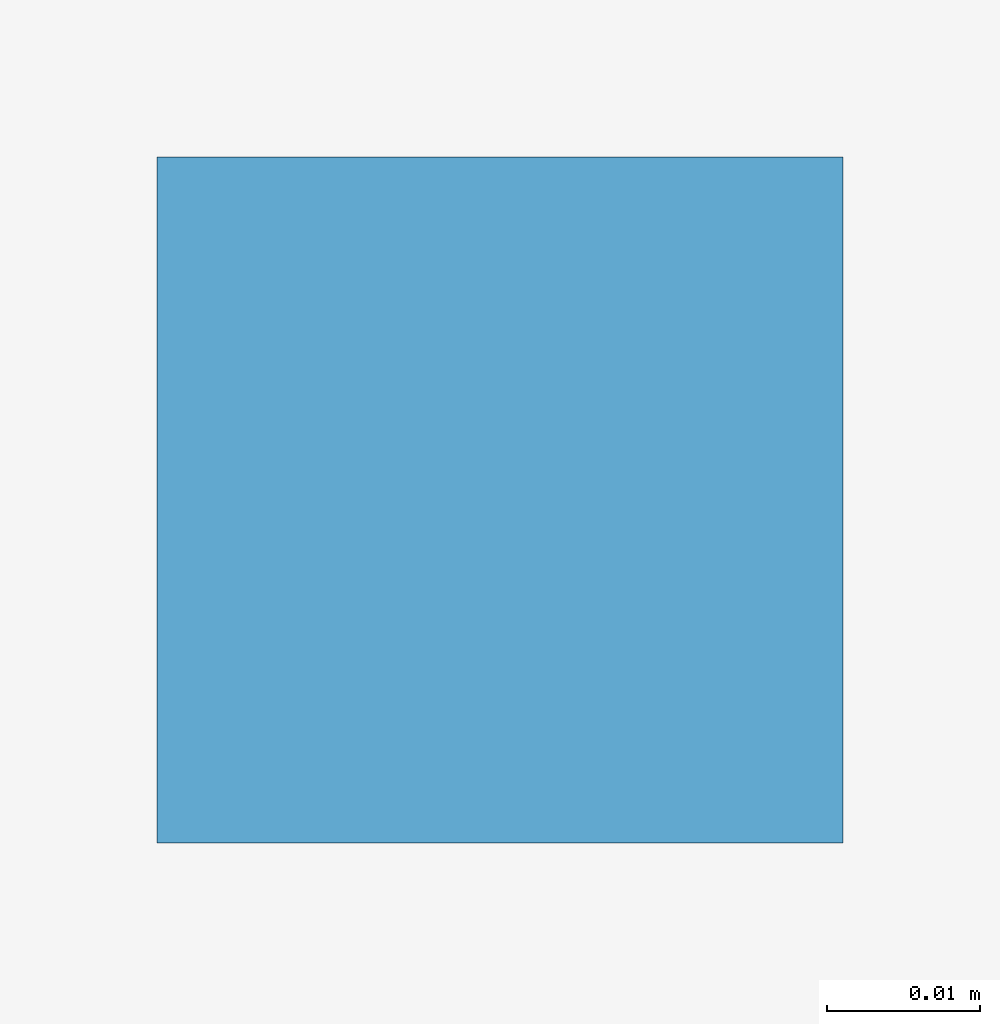
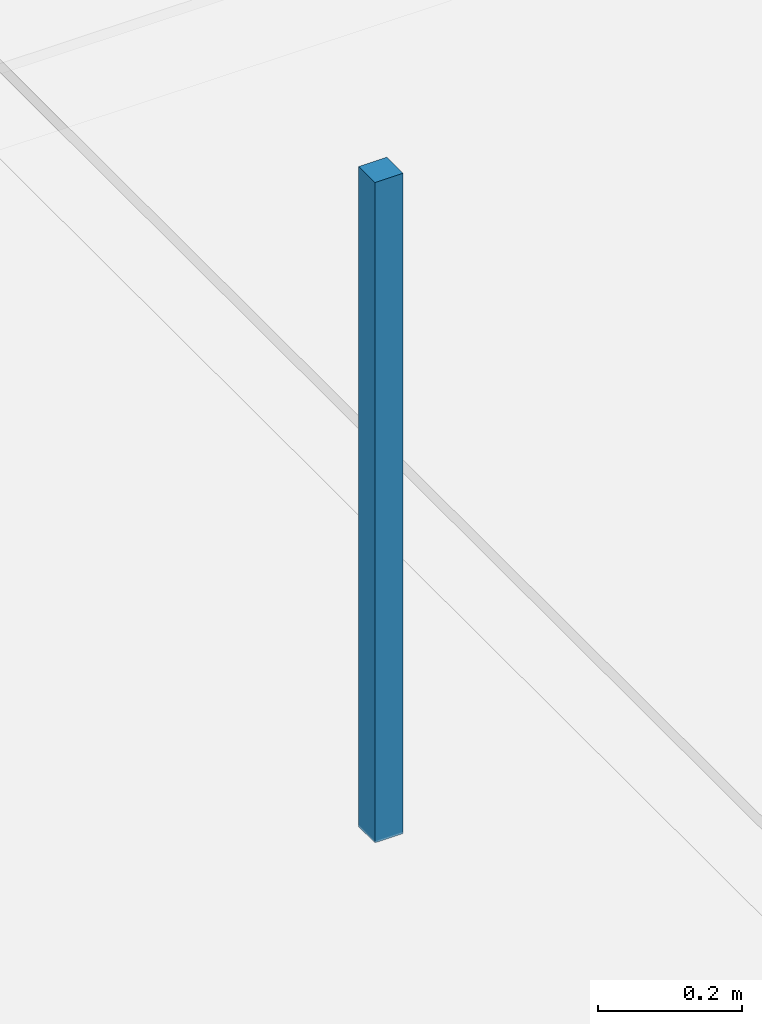
# One storey, part 113 of 140: 1 discrete accessory.
"""IFC4 building model written with IfcOpenShell, lengths in metres."""

from ifc_helpers import new_model, si_unit, direction, frame, origin, origin_2d, place, context, subcontext, project, spatial, rectangle, extrude, material, type_object, element, save


model = new_model("IFC4")

# Units and contexts
model_context = context("Model", 3, precision=1e-05, world=origin(), true_north=direction((0.0, 1.0)))
body_context = subcontext(model_context, "Body", "Model", "MODEL_VIEW")
ifc_project = project(units=[si_unit("LENGTHUNIT", "METRE"), si_unit("AREAUNIT", "SQUARE_METRE"), si_unit("VOLUMEUNIT", "CUBIC_METRE"), si_unit("PLANEANGLEUNIT", "RADIAN"), si_unit("MASSUNIT", "GRAM", prefix="KILO"), si_unit("THERMODYNAMICTEMPERATUREUNIT", "KELVIN"), si_unit("POWERUNIT", "WATT")], contexts=[model_context])

# Site, building, storey
site_placement = place(None, origin())
site = spatial("IfcSite", under=ifc_project, at=site_placement, CompositionType="ELEMENT")
building_placement = place(site_placement, origin())
building = spatial("IfcBuilding", under=site, at=building_placement, Name="Tallowbark Science Centre", CompositionType="ELEMENT")
storey_placement = place(building_placement, frame((0.0, 0.0, 9.89990234375)))
storey = spatial("IfcBuildingStorey", under=building, at=storey_placement, Name="L02", CompositionType="ELEMENT", Elevation=9.89990234375)

# Discrete accessory
ifc_material = material(Name="Galvanised Steel Grade C350L0 (350 MPa)", Category="steel")
discrete_accessory_type = type_object("IfcDiscreteAccessoryType", Name="ACC-CLG-HNG", PredefinedType="BRACKET", material=ifc_material)
discrete_accessory_placement = place(storey_placement, frame((132.3125, 76.58349609375, 3.2060546875), z_axis=(0.0, 0.0, 1.0), x_axis=(1.0, 0.0, 0.0)))
element("IfcDiscreteAccessory", 1, at=discrete_accessory_placement, inside=storey, type_object=discrete_accessory_type, Name="Ceiling Hanger Bracket L02-917", PredefinedType="BRACKET", context=body_context, shape_type="SweptSolid", body=[
    extrude(rectangle(XDim=0.044921875, YDim=0.044921875, at=origin_2d()), origin(), (0.0, 0.0, 1.0), 1.116943359375),
])

save(model, "model.ifc")
